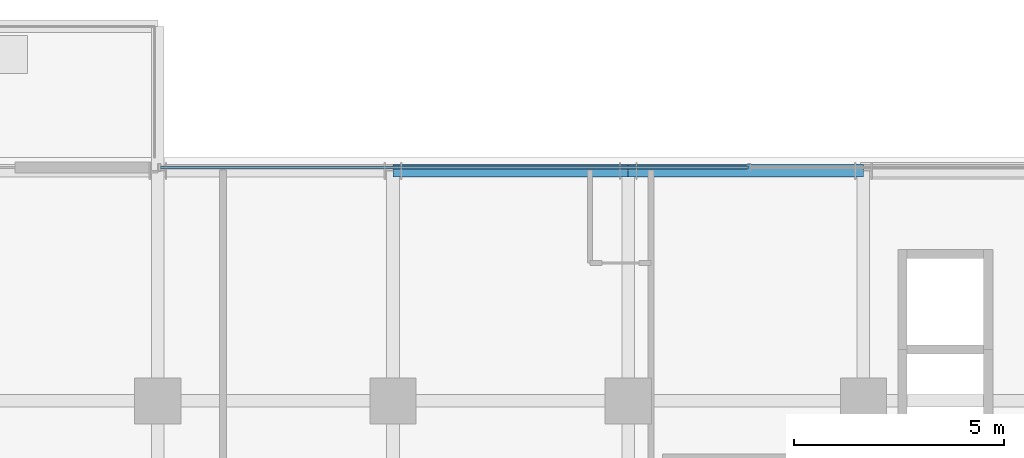
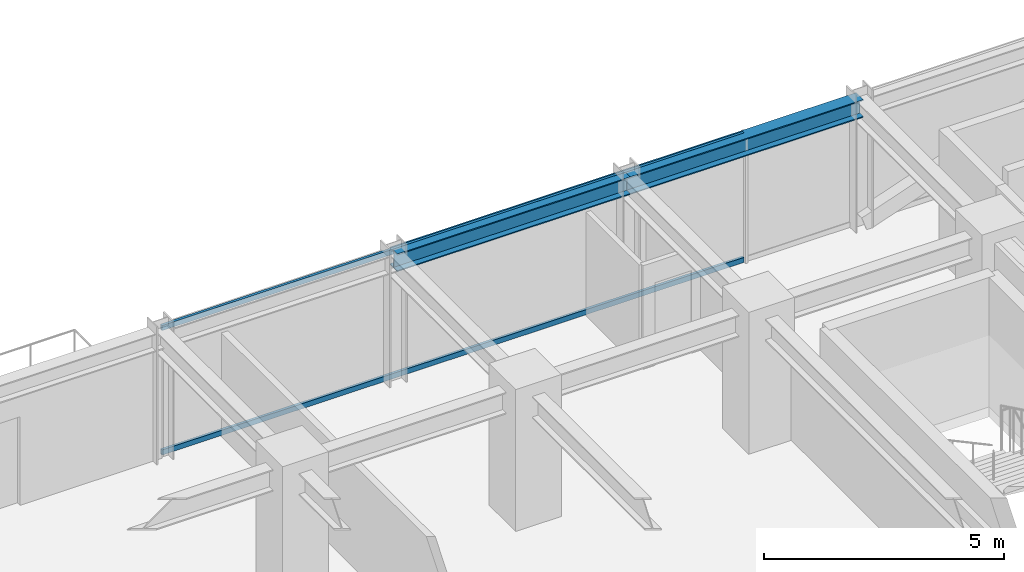
# One storey, part 20 of 32: 2 beams, 2 members, 1 element without a shape of its own.
"""IFC4 building model written with IfcOpenShell, lengths in metres."""

from ifc_helpers import new_model, si_unit, direction, frame, origin, origin_2d, place, context, subcontext, project, spatial, hollow_rectangle, i_section, extrude, source, transform, mapped, material, material_profile, profile_set, type_object, element, aggregate, save


model = new_model("IFC4")

# Units and contexts
model_context = context("Model", 3, precision=1e-05, world=origin(), true_north=direction((0.0, 1.0)))
body_context = subcontext(model_context, "Body", "Model", "MODEL_VIEW")
ifc_project = project(units=[si_unit("LENGTHUNIT", "METRE"), si_unit("AREAUNIT", "SQUARE_METRE"), si_unit("VOLUMEUNIT", "CUBIC_METRE"), si_unit("PLANEANGLEUNIT", "RADIAN"), si_unit("MASSUNIT", "GRAM", prefix="KILO")], contexts=[model_context])

# Site, building, storey
site_placement = place(None, origin())
site = spatial("IfcSite", under=ifc_project, at=site_placement, CompositionType="ELEMENT")
building_placement = place(site_placement, origin())
building = spatial("IfcBuilding", under=site, at=building_placement, Name="Nahalor Promenade Grand Hotel", CompositionType="ELEMENT")
storey_placement = place(building_placement, frame((0.0, 0.0, 196.449951171875)))
storey = spatial("IfcBuildingStorey", under=building, at=storey_placement, Name="L50", CompositionType="ELEMENT", Elevation=196.449951171875)

# Beams
ifc_material_1 = material(Name="Steel S355JR", Category="steel")
ifc_material_profile_1 = material_profile(ifc_material_1, i_section(OverallWidth=0.3, OverallDepth=0.45, WebThickness=0.014, FlangeThickness=0.026, at=origin_2d()), Name="HEB 450")
ifc_profile_set_1 = profile_set([ifc_material_profile_1], Name="Steel S355JR")
beam_type = type_object("IfcBeamType", Name="Beam-Spandrel-HEB450", PredefinedType="SPANDREL", material=ifc_profile_set_1)
shared_shape_1 = source(origin(), body_context, "Body", "SweptSolid", [
    extrude(i_section(OverallWidth=0.3, OverallDepth=0.45, WebThickness=0.014, FlangeThickness=0.026, at=origin_2d()), origin(), (0.0, 0.0, 1.0), 5.599853515625),
])
beam_1_placement = place(storey_placement, frame((2.800048828125, 22.47998046875, 3.06494140625), z_axis=(1.0, 0.0, 0.0), x_axis=(0.0, 1.0, 0.0)))
element("IfcBeam", 1, at=beam_1_placement, inside=storey, type_object=beam_type, Name="BM-L50-SP-N-3", PredefinedType="SPANDREL", context=body_context, shape_type="MappedRepresentation", body=[
    mapped(shared_shape_1, transform((0.0, 0.0, 0.0), scale=1.0)),
])
shared_shape_2 = source(origin(), body_context, "Body", "SweptSolid", [
    extrude(i_section(OverallWidth=0.3, OverallDepth=0.45, WebThickness=0.014, FlangeThickness=0.026, at=origin_2d()), origin(), (0.0, 0.0, 1.0), 5.60009765625),
])
beam_2_placement = place(storey_placement, frame((-2.800048828125, 22.47998046875, 3.06494140625), z_axis=(1.0, 0.0, 0.0), x_axis=(0.0, 1.0, 0.0)))
element("IfcBeam", 2, at=beam_2_placement, inside=storey, type_object=beam_type, Name="BM-L50-SP-N-2", PredefinedType="SPANDREL", context=body_context, shape_type="MappedRepresentation", body=[
    mapped(shared_shape_2, transform((0.0, 0.0, 0.0), scale=1.0)),
])

# Curtain wall, members
ifc_material_2 = material(Name="Anodised Bronze Aluminium EN AW-6063 T6", Category="aluminium")
curtain_wall_type = type_object("IfcCurtainWallType", Name="CW2 Typical Hotel Flush Bronze Unitised Curtain Wall", PredefinedType="USERDEFINED", material=ifc_material_2)
curtain_wall_placement = place(storey_placement, origin())
curtain_wall = element("IfcCurtainWall", 3, at=curtain_wall_placement, inside=storey, type_object=curtain_wall_type, Name="L50 Curtain Wall CW-L50-N-3", ObjectType="UNITISED_CURTAIN_WALL", PredefinedType="USERDEFINED")
ifc_material_profile_2 = material_profile(ifc_material_2, hollow_rectangle(XDim=0.065, YDim=0.13, WallThickness=0.004, at=origin_2d()), Name="CWT 65x130x4")
ifc_profile_set_2 = profile_set([ifc_material_profile_2], Name="Anodised Bronze Aluminium EN AW-6063 T6")
member_type = type_object("IfcMemberType", Name="CWT2 Typical Bronze Transom 65x130", PredefinedType="USERDEFINED", material=ifc_profile_set_2)
shared_shape_3 = source(origin(), body_context, "Body", "SweptSolid", [
    extrude(hollow_rectangle(XDim=0.065, YDim=0.13, WallThickness=0.004, at=origin_2d()), origin(), (0.0, 0.0, 1.0), 13.982421875),
])
member_1_placement = place(storey_placement, frame((-8.3349609375, 22.56005859375, 0.06494140625), z_axis=(1.0, 0.0, 0.0), x_axis=(0.0, 1.0, 0.0)))
member_1 = element("IfcMember", 4, at=member_1_placement, type_object=member_type, Name="CW-L50-N-3 Transom 0-0", ObjectType="TRANSOM", PredefinedType="USERDEFINED", context=body_context, shape_type="MappedRepresentation", body=[
    mapped(shared_shape_3, transform((0.0, 0.0, 0.0), scale=1.0)),
])
member_2_placement = place(storey_placement, frame((-8.3349609375, 22.56005859375, 3.22509765625), z_axis=(1.0, 0.0, 0.0), x_axis=(0.0, 1.0, 0.0)))
member_2 = element("IfcMember", 5, at=member_2_placement, type_object=member_type, Name="CW-L50-N-3 Transom 0-1", ObjectType="TRANSOM", PredefinedType="USERDEFINED", context=body_context, shape_type="MappedRepresentation", body=[
    mapped(shared_shape_3, transform((0.0, 0.0, 0.0), scale=1.0)),
])
aggregate(curtain_wall, [member_1, member_2])

save(model, "model.ifc")
